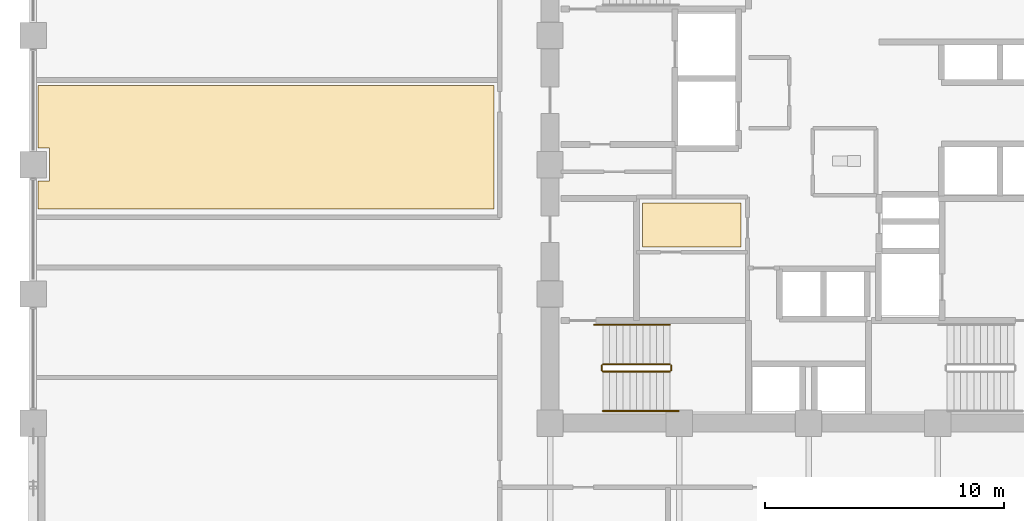
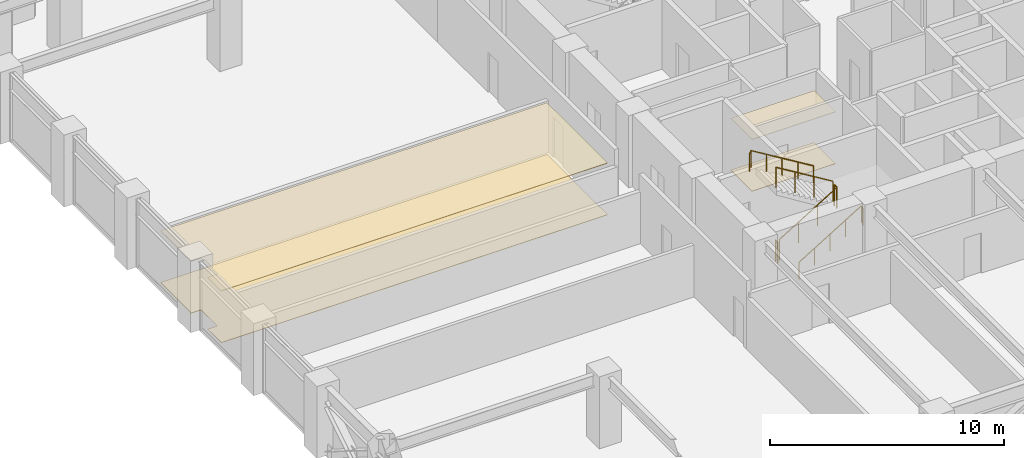
# One storey, part 23 of 25: 6 railings, 4 coverings.
"""IFC4 building model written with IfcOpenShell, lengths in metres."""

import ifcopenshell
import ifcopenshell.guid

model = None  # the IFC model being written
_history = None  # IfcOwnerHistory: only IFC2X3 demands one
_inside = {}  # id of a spatial element -> (the spatial element, [elements in it])
_under = {}  # id of a project, library or spatial element -> (it, [spatial elements below it])
_declared = {}  # id of a project -> (the project, [libraries it declares])
_typed = {}  # id of a type object -> (the type object, [elements of that type])
_made_of = {}  # id of a material, layer set ... -> (it, [elements and type objects made of it])


def new_model(schema):
    """Start an empty IFC model of exactly this schema.

    Asked for "IFC4X3", IfcOpenShell would pick the latest addendum, in which some entities
    have other attributes; the version numbers below select the first issue.
    IFC2X3 requires an IfcOwnerHistory on every rooted entity: one is made here for all.
    """
    global model, _history
    if schema == "IFC4X3":
        model = ifcopenshell.file(schema_version=(4, 3, 0, 0))
    else:
        model = ifcopenshell.file(schema=schema)
    _inside.clear()
    _under.clear()
    _declared.clear()
    _typed.clear()
    _made_of.clear()
    _history = None
    if model.schema == "IFC2X3":
        org = make("IfcOrganization", Name="unknown")
        user = make(
            "IfcPersonAndOrganization",
            ThePerson=make("IfcPerson", FamilyName="unknown"),
            TheOrganization=org,
        )
        app = make(
            "IfcApplication",
            ApplicationDeveloper=org,
            Version="unknown",
            ApplicationFullName="unknown",
            ApplicationIdentifier="unknown",
        )
        _history = make(
            "IfcOwnerHistory",
            OwningUser=user,
            OwningApplication=app,
            ChangeAction="ADDED",
            CreationDate=0,
        )
    return model


def make(cls, **values):
    """One entity of the class cls with the attributes given. An attribute that is None is left unset."""
    return model.create_entity(
        cls, **{name: value for name, value in values.items() if value is not None}
    )


def rooted(cls, **values):
    """An entity with a GlobalId (a new one), such as an element, a storey or a relation."""
    return make(cls, GlobalId=ifcopenshell.guid.new(), OwnerHistory=_history, **values)


def si_unit(unit_type, name, prefix=None):
    """IfcSIUnit, for example si_unit("LENGTHUNIT", "METRE", prefix="MILLI")."""
    return make("IfcSIUnit", UnitType=unit_type, Prefix=prefix, Name=name)


def assignment(units):
    """IfcUnitAssignment: the units of a project."""
    return None if units is None else make("IfcUnitAssignment", Units=units)


def point(xyz):
    """IfcCartesianPoint."""
    return None if xyz is None else make("IfcCartesianPoint", Coordinates=xyz)


def direction(xyz):
    """IfcDirection."""
    return None if xyz is None else make("IfcDirection", DirectionRatios=xyz)


def frame(location, z_axis=None, x_axis=None):
    """IfcAxis2Placement3D, a coordinate frame: its origin and axes. An axis left out is left unset."""
    return make(
        "IfcAxis2Placement3D",
        Location=point(location),
        Axis=direction(z_axis),
        RefDirection=direction(x_axis),
    )


def frame_2d(location, x_axis=None):
    """IfcAxis2Placement2D, a coordinate frame in the plane: its origin and x axis."""
    return make(
        "IfcAxis2Placement2D", Location=point(location), RefDirection=direction(x_axis)
    )


def origin():
    """The frame at (0, 0, 0) with its axes left unset."""
    return frame((0.0, 0.0, 0.0))


def origin_2d():
    """The frame at (0, 0) in the plane with its x axis left unset."""
    return frame_2d((0.0, 0.0))


def place(relative_to, where):
    """IfcLocalPlacement: puts the frame where relative to a parent placement (None: the world)."""
    return make(
        "IfcLocalPlacement", PlacementRelTo=relative_to, RelativePlacement=where
    )


def context(
    kind, dimensions, precision=None, world=None, true_north=None, identifier=None
):
    """IfcGeometricRepresentationContext, for example the 3D "Model" context."""
    return make(
        "IfcGeometricRepresentationContext",
        ContextIdentifier=identifier,
        ContextType=kind,
        CoordinateSpaceDimension=dimensions,
        Precision=precision,
        WorldCoordinateSystem=world,
        TrueNorth=true_north,
    )


def subcontext(parent, identifier, kind, view, scale=None):
    """IfcGeometricRepresentationSubContext, for example "Body" below "Model"."""
    return make(
        "IfcGeometricRepresentationSubContext",
        ContextIdentifier=identifier,
        ContextType=kind,
        ParentContext=parent,
        TargetScale=scale,
        TargetView=view,
    )


def project(units=None, contexts=None):
    """IfcProject with its units and contexts."""
    return rooted(
        "IfcProject",
        Name="project",
        RepresentationContexts=contexts,
        UnitsInContext=assignment(units),
    )


def spatial(cls, under=None, at=None, **own):
    """A site, building, storey or space (cls), placed at a placement, below another one or the project."""
    s = rooted(cls, ObjectPlacement=at, **own)
    if under is not None:
        _under.setdefault(under.id(), (under, []))[1].append(s)
    return s


def polyline(points):
    """IfcPolyline through the points."""
    return make("IfcPolyline", Points=[point(p) for p in points])


def profile(cls, at=None, kind="AREA", **sizes):
    """A parametric profile (cls). Its sizes go by their IFC names, for example OverallWidth=200.0."""
    return make(cls, ProfileType=kind, Position=at, **sizes)


def circle(**sizes):
    """IfcCircleProfileDef."""
    return profile("IfcCircleProfileDef", **sizes)


def outline(outer, holes=None, kind="AREA"):
    """IfcArbitraryClosedProfileDef: a profile drawn as a closed curve; with holes, ...WithVoids."""
    if holes is None:
        return make("IfcArbitraryClosedProfileDef", ProfileType=kind, OuterCurve=outer)
    return make(
        "IfcArbitraryProfileDefWithVoids",
        ProfileType=kind,
        OuterCurve=outer,
        InnerCurves=holes,
    )


def extrude(swept, where, along, depth):
    """IfcExtrudedAreaSolid: the profile swept, set in the frame where, extruded along a direction by depth."""
    return make(
        "IfcExtrudedAreaSolid",
        SweptArea=swept,
        Position=where,
        ExtrudedDirection=direction(along),
        Depth=depth,
    )


def shape(context_of_items, identifier, shape_type, items):
    """IfcShapeRepresentation: the items that make up one representation, for example the "Body"."""
    return make(
        "IfcShapeRepresentation",
        ContextOfItems=context_of_items,
        RepresentationIdentifier=identifier,
        RepresentationType=shape_type,
        Items=items,
    )


def material(Name=None, Category=None):
    """IfcMaterial."""
    return make("IfcMaterial", Name=Name, Category=Category)


def layer(
    of_material, thickness, ventilated=None, Name=None, Category=None, Priority=None
):
    """IfcMaterialLayer: one layer of a wall or slab, of a material (None: an air gap)."""
    return make(
        "IfcMaterialLayer",
        Material=of_material,
        LayerThickness=thickness,
        IsVentilated=ventilated,
        Name=Name,
        Category=Category,
        Priority=Priority,
    )


def layer_set(layers, Name=None):
    """IfcMaterialLayerSet."""
    return make("IfcMaterialLayerSet", MaterialLayers=layers, LayerSetName=Name)


def made_of(thing, what):
    """Note that an element or type object is made of a material, layer set ...; save() writes the relation."""
    if what is not None:
        _made_of.setdefault(what.id(), (what, []))[1].append(thing)
    return thing


def type_object(cls, material=None, **own):
    """A type object (cls), such as IfcWallType, which elements share."""
    return made_of(rooted(cls, **own), material)


def element(
    cls,
    number,
    at=None,
    inside=None,
    cuts=None,
    type_object=None,
    material=None,
    context=None,
    identifier="Body",
    shape_type=None,
    held_by="IfcProductDefinitionShape",
    body=None,
    shapes=None,
    **own,
):
    """One element of the class cls, such as IfcWall. Its Tag is "e" and its number.

    at: its placement. inside: the storey or other place that contains it. cuts: it is an
    opening in that element (IfcRelVoidsElement). A single representation is given by context,
    identifier, shape_type and body (its items); several are given by shapes. held_by: the class
    of the entity that holds the representations. save() writes the other relations.
    """
    e = rooted(cls, Tag="e%d" % number, ObjectPlacement=at, **own)
    if body is not None:
        shapes = [shape(context, identifier, shape_type, body)]
    if shapes is not None:
        e.Representation = make(held_by, Representations=shapes)
    if inside is not None:
        _inside.setdefault(inside.id(), (inside, []))[1].append(e)
    if cuts is not None:
        rooted(
            "IfcRelVoidsElement", RelatingBuildingElement=cuts, RelatedOpeningElement=e
        )
    if type_object is not None:
        _typed.setdefault(type_object.id(), (type_object, []))[1].append(e)
    return made_of(e, material)


def aggregate(whole, parts):
    """IfcRelAggregates: a whole, such as a stair, and the parts it consists of."""
    return rooted("IfcRelAggregates", RelatingObject=whole, RelatedObjects=parts)


def save(model, path):
    """Write the relations noted so far, then the file.

    IfcRelAggregates (storeys below a building ...), IfcRelContainedInSpatialStructure (elements
    in a storey), IfcRelDefinesByType, IfcRelAssociatesMaterial and IfcRelDeclares: one each for
    every whole, place, type object, material and project.
    """
    for whole, parts in _under.values():
        aggregate(whole, parts)
    for where, things in _inside.values():
        rooted(
            "IfcRelContainedInSpatialStructure",
            RelatedElements=things,
            RelatingStructure=where,
        )
    for kind, things in _typed.values():
        rooted("IfcRelDefinesByType", RelatedObjects=things, RelatingType=kind)
    for what, things in _made_of.values():
        rooted("IfcRelAssociatesMaterial", RelatedObjects=things, RelatingMaterial=what)
    for by, libraries in _declared.values():
        rooted("IfcRelDeclares", RelatingContext=by, RelatedDefinitions=libraries)
    model.write(path)


model = new_model("IFC4")

# Units and contexts
model_context = context("Model", 3, precision=1e-05, world=origin(), true_north=direction((0.0, 1.0)))
body_context = subcontext(model_context, "Body", "Model", "MODEL_VIEW")
ifc_project = project(units=[si_unit("LENGTHUNIT", "METRE"), si_unit("AREAUNIT", "SQUARE_METRE"), si_unit("VOLUMEUNIT", "CUBIC_METRE"), si_unit("PLANEANGLEUNIT", "RADIAN"), si_unit("MASSUNIT", "GRAM", prefix="KILO")], contexts=[model_context])

# Site, building, storey
site_placement = place(None, origin())
site = spatial("IfcSite", under=ifc_project, at=site_placement, CompositionType="ELEMENT")
building_placement = place(site_placement, origin())
building = spatial("IfcBuilding", under=site, at=building_placement, Name="Surkhivell Harbour Commons", CompositionType="ELEMENT")
storey_placement = place(building_placement, frame((0.0, 0.0, 124.5)))
storey = spatial("IfcBuildingStorey", under=building, at=storey_placement, Name="L32", CompositionType="ELEMENT", Elevation=124.5)

# Coverings
ifc_material_1 = material(Name="Perforated acoustic mineral-fibre ceiling tile", Category="other")
ifc_layer_1 = layer(ifc_material_1, 0.02490234375)
ifc_layer_set_1 = layer_set([ifc_layer_1], Name="Perforated acoustic mineral-fibre ceiling tile")
covering_type_1 = type_object("IfcCoveringType", Name="COV-CEIL-AC", PredefinedType="CEILING", material=ifc_layer_set_1)
covering_1_placement = place(storey_placement, frame((0.0, 0.0, 2.694091796875)))
element("IfcCovering", 1, at=covering_1_placement, inside=storey, type_object=covering_type_1, Name="L32 Suspended Acoustic Ceiling 1", PredefinedType="CEILING", context=body_context, shape_type="SweptSolid", body=[
    extrude(outline(polyline([(-6.929931640625, -3.429931640625), (-2.820068359375, -3.429931640625), (-2.820068359375, -1.60009765625), (-6.929931640625, -1.60009765625), (-6.929931640625, -3.429931640625)])), origin(), (0.0, 0.0, 1.0), 0.02490234375),
])
ifc_material_2 = material(Name="Moisture-resistant gypsum acoustic ceiling board", Category="other")
ifc_layer_2 = layer(ifc_material_2, 0.030029296875)
ifc_layer_set_2 = layer_set([ifc_layer_2], Name="Moisture-resistant gypsum acoustic ceiling board")
covering_type_2 = type_object("IfcCoveringType", Name="COV-CEIL-GYP", PredefinedType="CEILING", material=ifc_layer_set_2)
covering_2_placement = place(storey_placement, frame((0.0, 0.0, 2.68896484375)))
element("IfcCovering", 2, at=covering_2_placement, inside=storey, type_object=covering_type_2, Name="L32 Suspended Acoustic Ceiling 2", PredefinedType="CEILING", context=body_context, shape_type="SweptSolid", body=[
    extrude(outline(polyline([(-13.139892578125, -1.860107421875), (-13.139892578125, 3.320068359375), (-32.18994140625, 3.320068359375), (-32.18994140625, 0.68994140625), (-31.7099609375, 0.68994140625), (-31.7099609375, -0.68994140625), (-32.18994140625, -0.68994140625), (-32.18994140625, -1.860107421875), (-13.139892578125, -1.860107421875)])), origin(), (0.0, 0.0, 1.0), 0.030029296875),
])
ifc_material_3 = material(Name="Engineered acoustic oak timber flooring", Category="wood")
ifc_layer_3 = layer(ifc_material_3, 0.02001953125)
ifc_layer_set_3 = layer_set([ifc_layer_3], Name="Engineered acoustic oak timber flooring")
covering_type_3 = type_object("IfcCoveringType", Name="COV-FLR-TIM", PredefinedType="FLOORING", material=ifc_layer_set_3)
covering_3_placement = place(storey_placement, origin())
element("IfcCovering", 3, at=covering_3_placement, inside=storey, type_object=covering_type_3, Name="L32 Interior Floor Finish 1", PredefinedType="FLOORING", context=body_context, shape_type="SweptSolid", body=[
    extrude(outline(polyline([(-6.929931640625, -3.429931640625), (-2.820068359375, -3.429931640625), (-2.820068359375, -1.60009765625), (-6.929931640625, -1.60009765625), (-6.929931640625, -3.429931640625)])), origin(), (0.0, 0.0, 1.0), 0.02001953125),
])
covering_4_placement = place(storey_placement, origin())
element("IfcCovering", 4, at=covering_4_placement, inside=storey, type_object=covering_type_3, Name="L32 Interior Floor Finish 2", PredefinedType="FLOORING", context=body_context, shape_type="SweptSolid", body=[
    extrude(outline(polyline([(-13.139892578125, -1.860107421875), (-13.139892578125, 3.320068359375), (-32.18994140625, 3.320068359375), (-32.18994140625, 0.68994140625), (-31.7099609375, 0.68994140625), (-31.7099609375, -0.68994140625), (-32.18994140625, -0.68994140625), (-32.18994140625, -1.860107421875), (-13.139892578125, -1.860107421875)])), origin(), (0.0, 0.0, 1.0), 0.02001953125),
])

# Railings
ifc_material_4 = material(Name="Galvanised and painted steel S355 guard rail", Category="steel")
railing_type_1 = type_object("IfcRailingType", Name="RAL-ST-GRD1100", PredefinedType="GUARDRAIL", material=ifc_material_4)
railing_1_placement = place(storey_placement, frame((-8.590087890625, -8.639892578125, 0.17041015625)))
element("IfcRailing", 5, at=railing_1_placement, inside=storey, type_object=railing_type_1, Name="L32 ST3 stair guard 1", PredefinedType="GUARDRAIL", context=body_context, shape_type="SweptSolid", body=[
    extrude(circle(Radius=0.02392578125, at=origin_2d()), frame((0.0, 0.0, 1.076171875), z_axis=(0.854169791009, 0.0, 0.51999420009), x_axis=(0.0, 1.0, 0.0)), (0.0, 0.0, 1.0), 3.278076171875),
    extrude(circle(Radius=0.02099609375, at=origin_2d()), origin(), (0.0, 0.0, 1.0), 1.052001953125),
    extrude(circle(Radius=0.02099609375, at=origin_2d()), frame((0.933349609375, 0.0, 0.568115234375)), (0.0, 0.0, 1.0), 1.052001953125),
    extrude(circle(Radius=0.02099609375, at=origin_2d()), frame((1.86669921875, 0.0, 1.136474609375)), (0.0, 0.0, 1.0), 1.052001953125),
    extrude(circle(Radius=0.02099609375, at=origin_2d()), frame((2.800048828125, 0.0, 1.70458984375)), (0.0, 0.0, 1.0), 1.052001953125),
])
railing_2_placement = place(storey_placement, frame((-5.739990234375, -8.590087890625, 1.875)))
element("IfcRailing", 6, at=railing_2_placement, inside=storey, type_object=railing_type_1, Name="L32 ST3 stair guard 2", PredefinedType="GUARDRAIL", context=body_context, shape_type="SweptSolid", body=[
    extrude(circle(Radius=0.02392578125, at=origin_2d()), frame((0.0, 0.0, 1.076171875), z_axis=(0.0, 1.0, 0.0), x_axis=(-1.0, 0.0, 0.0)), (0.0, 0.0, 1.0), 0.2001953125),
    extrude(circle(Radius=0.02099609375, at=origin_2d()), origin(), (0.0, 0.0, 1.0), 1.052001953125),
    extrude(circle(Radius=0.02099609375, at=origin_2d()), frame((0.0, 0.2001953125, 0.0)), (0.0, 0.0, 1.0), 1.052001953125),
])
railing_3_placement = place(storey_placement, frame((-5.7900390625, -8.340087890625, 2.04541015625)))
element("IfcRailing", 7, at=railing_3_placement, inside=storey, type_object=railing_type_1, Name="L32 ST3 stair guard 3", PredefinedType="GUARDRAIL", context=body_context, shape_type="SweptSolid", body=[
    extrude(circle(Radius=0.02392578125, at=origin_2d()), frame((0.0, 0.0, 1.076171875), z_axis=(-0.854169791009, 0.0, 0.51999420009), x_axis=(0.0, -1.0, 0.0)), (0.0, 0.0, 1.0), 3.278076171875),
    extrude(circle(Radius=0.02099609375, at=origin_2d()), origin(), (0.0, 0.0, 1.0), 1.052001953125),
    extrude(circle(Radius=0.02099609375, at=origin_2d()), frame((-0.933349609375, 0.0, 0.568115234375)), (0.0, 0.0, 1.0), 1.052001953125),
    extrude(circle(Radius=0.02099609375, at=origin_2d()), frame((-1.86669921875, 0.0, 1.136474609375)), (0.0, 0.0, 1.0), 1.052001953125),
    extrude(circle(Radius=0.02099609375, at=origin_2d()), frame((-2.800048828125, 0.0, 1.70458984375)), (0.0, 0.0, 1.0), 1.052001953125),
])
railing_4_placement = place(storey_placement, frame((-8.639892578125, -8.590087890625, 0.0)))
element("IfcRailing", 8, at=railing_4_placement, inside=storey, type_object=railing_type_1, Name="L32 ST3 stair guard 4", PredefinedType="GUARDRAIL", context=body_context, shape_type="SweptSolid", body=[
    extrude(circle(Radius=0.02392578125, at=origin_2d()), frame((0.0, 0.0, 1.076171875), z_axis=(0.0, 1.0, 0.0), x_axis=(-1.0, 0.0, 0.0)), (0.0, 0.0, 1.0), 0.2001953125),
    extrude(circle(Radius=0.02099609375, at=origin_2d()), origin(), (0.0, 0.0, 1.0), 1.052001953125),
    extrude(circle(Radius=0.02099609375, at=origin_2d()), frame((0.0, 0.2001953125, 0.0)), (0.0, 0.0, 1.0), 1.052001953125),
])
ifc_material_5 = material(Name="Brushed stainless steel S355 handrail", Category="steel")
railing_type_2 = type_object("IfcRailingType", Name="RAL-ST-HND900", PredefinedType="HANDRAIL", material=ifc_material_5)
railing_5_placement = place(storey_placement, frame((-8.590087890625, -10.2900390625, 0.17041015625)))
element("IfcRailing", 9, at=railing_5_placement, inside=storey, type_object=railing_type_2, Name="L32 ST3 stair handrail 1", PredefinedType="HANDRAIL", context=body_context, shape_type="SweptSolid", body=[
    extrude(circle(Radius=0.02392578125, at=origin_2d()), frame((0.0, 0.0, 0.8759765625), z_axis=(0.854177636135, 0.0, 0.519981313056), x_axis=(0.0, 1.0, 0.0)), (0.0, 0.0, 1.0), 3.60595703125),
    extrude(circle(Radius=0.02392578125, at=origin_2d()), frame((3.080078125, 0.0, 2.7509765625), z_axis=(0.425297416671, 0.0, -0.905053648892), x_axis=(0.0, 1.0, 0.0)), (0.0, 0.0, 1.0), 0.188232421875),
    extrude(circle(Radius=0.02099609375, at=origin_2d()), origin(), (0.0, 0.0, 1.0), 0.851806640625),
    extrude(circle(Radius=0.02099609375, at=origin_2d()), frame((0.77001953125, 0.0, 0.46875)), (0.0, 0.0, 1.0), 0.851806640625),
    extrude(circle(Radius=0.02099609375, at=origin_2d()), frame((1.5400390625, 0.0, 0.9375)), (0.0, 0.0, 1.0), 0.851806640625),
    extrude(circle(Radius=0.02099609375, at=origin_2d()), frame((2.31005859375, 0.0, 1.40625)), (0.0, 0.0, 1.0), 0.851806640625),
    extrude(circle(Radius=0.02099609375, at=origin_2d()), frame((3.080078125, 0.0, 1.875)), (0.0, 0.0, 1.0), 0.851806640625),
    extrude(circle(Radius=0.02099609375, at=origin_2d()), frame((3.16015625, 0.0, 1.70458984375)), (0.0, 0.0, 1.0), 0.851806640625),
])
railing_6_placement = place(storey_placement, frame((-5.7900390625, -6.68994140625, 2.04541015625)))
element("IfcRailing", 10, at=railing_6_placement, inside=storey, type_object=railing_type_2, Name="L32 ST3 stair handrail 2", PredefinedType="HANDRAIL", context=body_context, shape_type="SweptSolid", body=[
    extrude(circle(Radius=0.02392578125, at=origin_2d()), frame((0.0, 0.0, 0.8759765625), z_axis=(-0.854177636135, 0.0, 0.519981313056), x_axis=(0.0, -1.0, 0.0)), (0.0, 0.0, 1.0), 3.60595703125),
    extrude(circle(Radius=0.02392578125, at=origin_2d()), frame((-3.080078125, 0.0, 2.7509765625), z_axis=(-0.424234432967, 0.0, -0.905552398199), x_axis=(0.0, -1.0, 0.0)), (0.0, 0.0, 1.0), 0.188232421875),
    extrude(circle(Radius=0.02099609375, at=origin_2d()), origin(), (0.0, 0.0, 1.0), 0.851806640625),
    extrude(circle(Radius=0.02099609375, at=origin_2d()), frame((-0.77001953125, 0.0, 0.46875)), (0.0, 0.0, 1.0), 0.851806640625),
    extrude(circle(Radius=0.02099609375, at=origin_2d()), frame((-1.5400390625, 0.0, 0.9375)), (0.0, 0.0, 1.0), 0.851806640625),
    extrude(circle(Radius=0.02099609375, at=origin_2d()), frame((-2.31005859375, 0.0, 1.40625)), (0.0, 0.0, 1.0), 0.851806640625),
    extrude(circle(Radius=0.02099609375, at=origin_2d()), frame((-3.080078125, 0.0, 1.875)), (0.0, 0.0, 1.0), 0.851806640625),
    extrude(circle(Radius=0.02099609375, at=origin_2d()), frame((-3.159912109375, 0.0, 1.70458984375)), (0.0, 0.0, 1.0), 0.851806640625),
])

save(model, "model.ifc")
